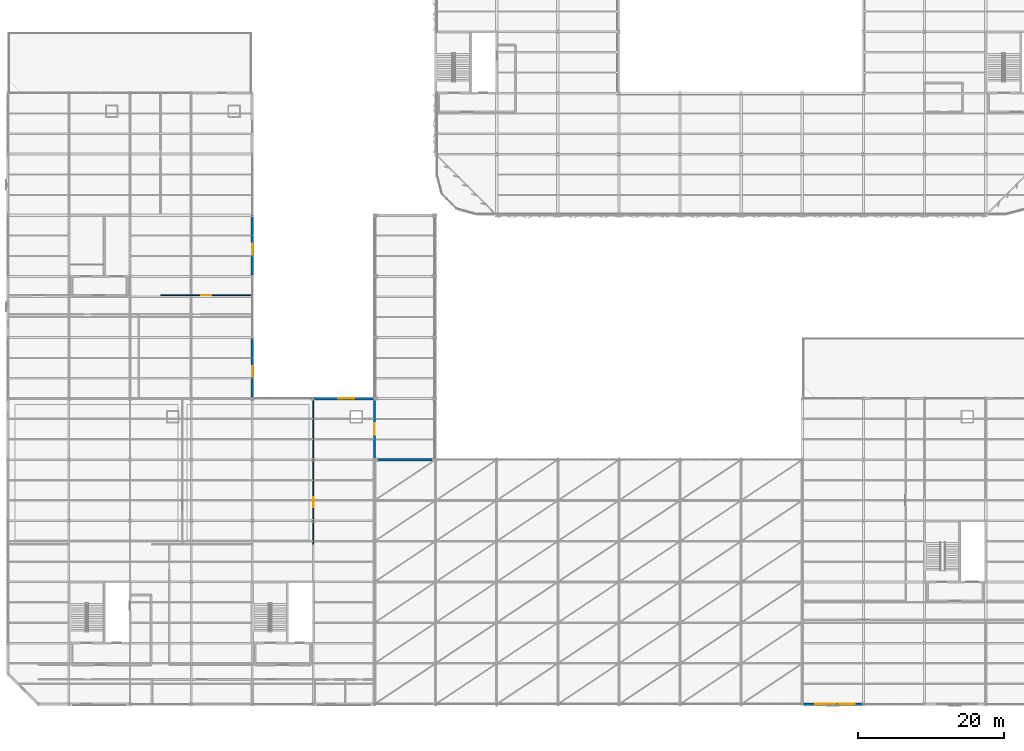
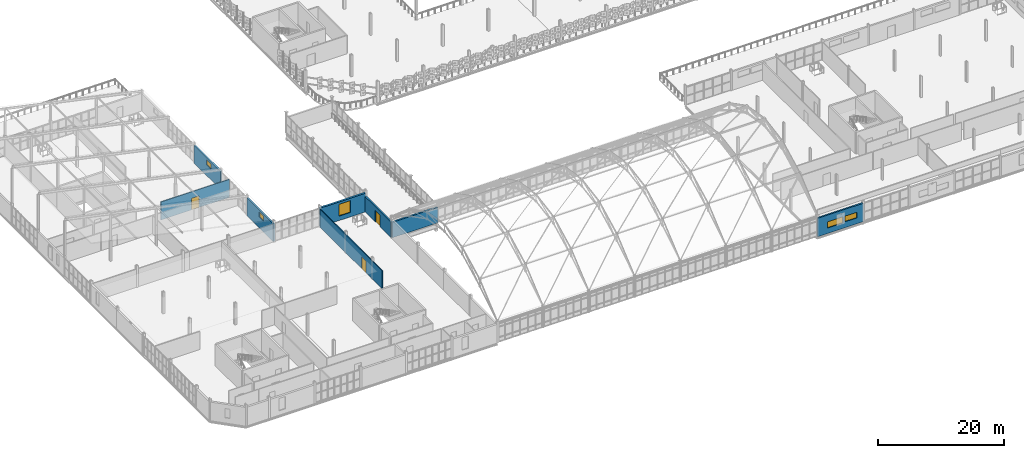
# One storey, part 155 of 184: 8 walls, 5 windows, 3 doors, 8 openings.
"""IFC4 building model written with IfcOpenShell, lengths in metres."""

import ifcopenshell
import ifcopenshell.guid

model = None  # the IFC model being written
_history = None  # IfcOwnerHistory: only IFC2X3 demands one
_inside = {}  # id of a spatial element -> (the spatial element, [elements in it])
_under = {}  # id of a project, library or spatial element -> (it, [spatial elements below it])
_declared = {}  # id of a project -> (the project, [libraries it declares])
_typed = {}  # id of a type object -> (the type object, [elements of that type])
_made_of = {}  # id of a material, layer set ... -> (it, [elements and type objects made of it])


def new_model(schema):
    """Start an empty IFC model of exactly this schema.

    Asked for "IFC4X3", IfcOpenShell would pick the latest addendum, in which some entities
    have other attributes; the version numbers below select the first issue.
    IFC2X3 requires an IfcOwnerHistory on every rooted entity: one is made here for all.
    """
    global model, _history
    if schema == "IFC4X3":
        model = ifcopenshell.file(schema_version=(4, 3, 0, 0))
    else:
        model = ifcopenshell.file(schema=schema)
    _inside.clear()
    _under.clear()
    _declared.clear()
    _typed.clear()
    _made_of.clear()
    _history = None
    if model.schema == "IFC2X3":
        org = make("IfcOrganization", Name="unknown")
        user = make(
            "IfcPersonAndOrganization",
            ThePerson=make("IfcPerson", FamilyName="unknown"),
            TheOrganization=org,
        )
        app = make(
            "IfcApplication",
            ApplicationDeveloper=org,
            Version="unknown",
            ApplicationFullName="unknown",
            ApplicationIdentifier="unknown",
        )
        _history = make(
            "IfcOwnerHistory",
            OwningUser=user,
            OwningApplication=app,
            ChangeAction="ADDED",
            CreationDate=0,
        )
    return model


def make(cls, **values):
    """One entity of the class cls with the attributes given. An attribute that is None is left unset."""
    return model.create_entity(
        cls, **{name: value for name, value in values.items() if value is not None}
    )


def rooted(cls, **values):
    """An entity with a GlobalId (a new one), such as an element, a storey or a relation."""
    return make(cls, GlobalId=ifcopenshell.guid.new(), OwnerHistory=_history, **values)


def si_unit(unit_type, name, prefix=None):
    """IfcSIUnit, for example si_unit("LENGTHUNIT", "METRE", prefix="MILLI")."""
    return make("IfcSIUnit", UnitType=unit_type, Prefix=prefix, Name=name)


def assignment(units):
    """IfcUnitAssignment: the units of a project."""
    return None if units is None else make("IfcUnitAssignment", Units=units)


def point(xyz):
    """IfcCartesianPoint."""
    return None if xyz is None else make("IfcCartesianPoint", Coordinates=xyz)


def direction(xyz):
    """IfcDirection."""
    return None if xyz is None else make("IfcDirection", DirectionRatios=xyz)


def frame(location, z_axis=None, x_axis=None):
    """IfcAxis2Placement3D, a coordinate frame: its origin and axes. An axis left out is left unset."""
    return make(
        "IfcAxis2Placement3D",
        Location=point(location),
        Axis=direction(z_axis),
        RefDirection=direction(x_axis),
    )


def frame_2d(location, x_axis=None):
    """IfcAxis2Placement2D, a coordinate frame in the plane: its origin and x axis."""
    return make(
        "IfcAxis2Placement2D", Location=point(location), RefDirection=direction(x_axis)
    )


def origin():
    """The frame at (0, 0, 0) with its axes left unset."""
    return frame((0.0, 0.0, 0.0))


def place(relative_to, where):
    """IfcLocalPlacement: puts the frame where relative to a parent placement (None: the world)."""
    return make(
        "IfcLocalPlacement", PlacementRelTo=relative_to, RelativePlacement=where
    )


def context(
    kind, dimensions, precision=None, world=None, true_north=None, identifier=None
):
    """IfcGeometricRepresentationContext, for example the 3D "Model" context."""
    return make(
        "IfcGeometricRepresentationContext",
        ContextIdentifier=identifier,
        ContextType=kind,
        CoordinateSpaceDimension=dimensions,
        Precision=precision,
        WorldCoordinateSystem=world,
        TrueNorth=true_north,
    )


def subcontext(parent, identifier, kind, view, scale=None):
    """IfcGeometricRepresentationSubContext, for example "Body" below "Model"."""
    return make(
        "IfcGeometricRepresentationSubContext",
        ContextIdentifier=identifier,
        ContextType=kind,
        ParentContext=parent,
        TargetScale=scale,
        TargetView=view,
    )


def project(units=None, contexts=None):
    """IfcProject with its units and contexts."""
    return rooted(
        "IfcProject",
        Name="project",
        RepresentationContexts=contexts,
        UnitsInContext=assignment(units),
    )


def spatial(cls, under=None, at=None, **own):
    """A site, building, storey or space (cls), placed at a placement, below another one or the project."""
    s = rooted(cls, ObjectPlacement=at, **own)
    if under is not None:
        _under.setdefault(under.id(), (under, []))[1].append(s)
    return s


def profile(cls, at=None, kind="AREA", **sizes):
    """A parametric profile (cls). Its sizes go by their IFC names, for example OverallWidth=200.0."""
    return make(cls, ProfileType=kind, Position=at, **sizes)


def rectangle(**sizes):
    """IfcRectangleProfileDef."""
    return profile("IfcRectangleProfileDef", **sizes)


def extrude(swept, where, along, depth):
    """IfcExtrudedAreaSolid: the profile swept, set in the frame where, extruded along a direction by depth."""
    return make(
        "IfcExtrudedAreaSolid",
        SweptArea=swept,
        Position=where,
        ExtrudedDirection=direction(along),
        Depth=depth,
    )


def shape(context_of_items, identifier, shape_type, items):
    """IfcShapeRepresentation: the items that make up one representation, for example the "Body"."""
    return make(
        "IfcShapeRepresentation",
        ContextOfItems=context_of_items,
        RepresentationIdentifier=identifier,
        RepresentationType=shape_type,
        Items=items,
    )


def material(Name=None, Category=None):
    """IfcMaterial."""
    return make("IfcMaterial", Name=Name, Category=Category)


def layer(
    of_material, thickness, ventilated=None, Name=None, Category=None, Priority=None
):
    """IfcMaterialLayer: one layer of a wall or slab, of a material (None: an air gap)."""
    return make(
        "IfcMaterialLayer",
        Material=of_material,
        LayerThickness=thickness,
        IsVentilated=ventilated,
        Name=Name,
        Category=Category,
        Priority=Priority,
    )


def layer_set(layers, Name=None):
    """IfcMaterialLayerSet."""
    return make("IfcMaterialLayerSet", MaterialLayers=layers, LayerSetName=Name)


def made_of(thing, what):
    """Note that an element or type object is made of a material, layer set ...; save() writes the relation."""
    if what is not None:
        _made_of.setdefault(what.id(), (what, []))[1].append(thing)
    return thing


def type_object(cls, material=None, **own):
    """A type object (cls), such as IfcWallType, which elements share."""
    return made_of(rooted(cls, **own), material)


def element(
    cls,
    number,
    at=None,
    inside=None,
    cuts=None,
    type_object=None,
    material=None,
    context=None,
    identifier="Body",
    shape_type=None,
    held_by="IfcProductDefinitionShape",
    body=None,
    shapes=None,
    **own,
):
    """One element of the class cls, such as IfcWall. Its Tag is "e" and its number.

    at: its placement. inside: the storey or other place that contains it. cuts: it is an
    opening in that element (IfcRelVoidsElement). A single representation is given by context,
    identifier, shape_type and body (its items); several are given by shapes. held_by: the class
    of the entity that holds the representations. save() writes the other relations.
    """
    e = rooted(cls, Tag="e%d" % number, ObjectPlacement=at, **own)
    if body is not None:
        shapes = [shape(context, identifier, shape_type, body)]
    if shapes is not None:
        e.Representation = make(held_by, Representations=shapes)
    if inside is not None:
        _inside.setdefault(inside.id(), (inside, []))[1].append(e)
    if cuts is not None:
        rooted(
            "IfcRelVoidsElement", RelatingBuildingElement=cuts, RelatedOpeningElement=e
        )
    if type_object is not None:
        _typed.setdefault(type_object.id(), (type_object, []))[1].append(e)
    return made_of(e, material)


def fill(opening, filler):
    """IfcRelFillsElement: the door or window that sits in an opening."""
    return rooted(
        "IfcRelFillsElement",
        RelatingOpeningElement=opening,
        RelatedBuildingElement=filler,
    )


def aggregate(whole, parts):
    """IfcRelAggregates: a whole, such as a stair, and the parts it consists of."""
    return rooted("IfcRelAggregates", RelatingObject=whole, RelatedObjects=parts)


def save(model, path):
    """Write the relations noted so far, then the file.

    IfcRelAggregates (storeys below a building ...), IfcRelContainedInSpatialStructure (elements
    in a storey), IfcRelDefinesByType, IfcRelAssociatesMaterial and IfcRelDeclares: one each for
    every whole, place, type object, material and project.
    """
    for whole, parts in _under.values():
        aggregate(whole, parts)
    for where, things in _inside.values():
        rooted(
            "IfcRelContainedInSpatialStructure",
            RelatedElements=things,
            RelatingStructure=where,
        )
    for kind, things in _typed.values():
        rooted("IfcRelDefinesByType", RelatedObjects=things, RelatingType=kind)
    for what, things in _made_of.values():
        rooted("IfcRelAssociatesMaterial", RelatedObjects=things, RelatingMaterial=what)
    for by, libraries in _declared.values():
        rooted("IfcRelDeclares", RelatingContext=by, RelatedDefinitions=libraries)
    model.write(path)


model = new_model("IFC4")

# Units and contexts
model_context = context("Model", 3, precision=1e-05, world=origin(), true_north=direction((0.0, 1.0)))
body_context = subcontext(model_context, "Body", "Model", "MODEL_VIEW")
ifc_project = project(units=[si_unit("LENGTHUNIT", "METRE"), si_unit("AREAUNIT", "SQUARE_METRE"), si_unit("VOLUMEUNIT", "CUBIC_METRE"), si_unit("PLANEANGLEUNIT", "RADIAN"), si_unit("MASSUNIT", "GRAM", prefix="KILO")], contexts=[model_context])

# Site, building, storey
site_placement = place(None, origin())
site = spatial("IfcSite", under=ifc_project, at=site_placement, CompositionType="ELEMENT")
building_placement = place(site_placement, origin())
building = spatial("IfcBuilding", under=site, at=building_placement, Name="Qalvenar Corner Mobility Hub", CompositionType="ELEMENT")
storey_placement = place(building_placement, frame((0.0, 0.0, 9.0)))
storey = spatial("IfcBuildingStorey", under=building, at=storey_placement, Name="L02", CompositionType="ELEMENT", Elevation=9.0)

# Wall, opening, window
ifc_material_1 = material(Name="Lahori Fired Clay Brick Masonry", Category="masonry")
ifc_layer_1 = layer(ifc_material_1, 0.300048828125)
ifc_layer_set_1 = layer_set([ifc_layer_1], Name="Lahori Fired Clay Brick Masonry")
wall_type_1 = type_object("IfcWallType", Name="WL-EXT-BRK300", PredefinedType="STANDARD", material=ifc_layer_set_1)
wall_1_placement = place(storey_placement, frame((33.60009765625, 42.0, 0.0), z_axis=(0.0, 0.0, 1.0), x_axis=(0.0, 1.0, 0.0)))
wall_1 = element("IfcWall", 1, at=wall_1_placement, inside=storey, type_object=wall_type_1, Name="Exterior Facade Wall EW-V5-L02-E0", PredefinedType="STANDARD", context=body_context, shape_type="SweptSolid", body=[
    extrude(rectangle(XDim=8.39990234375, YDim=0.300048828125, at=frame_2d((4.199951171875, 0.0))), origin(), (0.0, 0.0, 1.0), 3.4599609375),
])
opening_1_placement = place(wall_1_placement, frame((3.0, 0.0, 2.10009765625)))
opening_1 = element("IfcOpeningElement", 2, at=opening_1_placement, cuts=wall_1, Name="Opening W-42", PredefinedType="OPENING", context=body_context, shape_type="SweptSolid", body=[
    extrude(rectangle(XDim=1.449951171875, YDim=0.949951171875, at=frame_2d((0.72509765625, 0.47509765625))), frame((0.0, 0.16015625, 0.0), z_axis=(0.0, -1.0, 0.0), x_axis=(1.0, 0.0, 0.0)), (0.0, 0.0, 1.0), 0.320068359375),
])
ifc_material_2 = material(Name="Solar-Control Double-Glazed Bronze Window", Category="glass")
window_type_1 = type_object("IfcWindowType", Name="WN-CLR-145X095", PartitioningType="SINGLE_PANEL", PredefinedType="WINDOW", material=ifc_material_2)
window_1_placement = place(opening_1_placement, origin())
window_1 = element("IfcWindow", 3, at=window_1_placement, inside=storey, type_object=window_type_1, Name="Facade Window EW-V5-L02-E0-W1", OverallHeight=0.949951171875, OverallWidth=1.449951171875, PartitioningType="SINGLE_PANEL", PredefinedType="WINDOW", context=body_context, shape_type="SweptSolid", body=[
    extrude(rectangle(XDim=1.449951171875, YDim=0.949951171875, at=frame_2d((0.72509765625, 0.47509765625))), frame((0.0, 0.030029296875, 0.0), z_axis=(0.0, -1.0, 0.0), x_axis=(1.0, 0.0, 0.0)), (0.0, 0.0, 1.0), 0.06005859375),
])
fill(opening_1, window_1)

wall_2_placement = place(storey_placement, frame((33.60009765625, 58.800048828125, 0.0), z_axis=(0.0, 0.0, 1.0), x_axis=(0.0, 1.0, 0.0)))
wall_2 = element("IfcWall", 4, at=wall_2_placement, inside=storey, type_object=wall_type_1, Name="Exterior Facade Wall EW-V5-L02-E2", PredefinedType="STANDARD", context=body_context, shape_type="SweptSolid", body=[
    extrude(rectangle(XDim=8.39990234375, YDim=0.300048828125, at=frame_2d((4.199951171875, 0.0))), origin(), (0.0, 0.0, 1.0), 3.4599609375),
])
opening_2_placement = place(wall_2_placement, frame((3.0, 0.0, 2.10009765625)))
opening_2 = element("IfcOpeningElement", 5, at=opening_2_placement, cuts=wall_2, Name="Opening W-42", PredefinedType="OPENING", context=body_context, shape_type="SweptSolid", body=[
    extrude(rectangle(XDim=1.449951171875, YDim=0.949951171875, at=frame_2d((0.72509765625, 0.47509765625))), frame((0.0, 0.16015625, 0.0), z_axis=(0.0, -1.0, 0.0), x_axis=(1.0, 0.0, 0.0)), (0.0, 0.0, 1.0), 0.320068359375),
])
window_2_placement = place(opening_2_placement, origin())
window_2 = element("IfcWindow", 6, at=window_2_placement, inside=storey, type_object=window_type_1, Name="Facade Window EW-V5-L02-E2-W1", OverallHeight=0.949951171875, OverallWidth=1.449951171875, PartitioningType="SINGLE_PANEL", PredefinedType="WINDOW", context=body_context, shape_type="SweptSolid", body=[
    extrude(rectangle(XDim=1.449951171875, YDim=0.949951171875, at=frame_2d((0.72509765625, 0.47509765625))), frame((0.0, 0.030029296875, 0.0), z_axis=(0.0, -1.0, 0.0), x_axis=(1.0, 0.0, 0.0)), (0.0, 0.0, 1.0), 0.06005859375),
])
fill(opening_2, window_2)

# Wall, openings, windows
wall_3_placement = place(storey_placement, frame((109.199951171875, 0.0, 0.0), z_axis=(0.0, 0.0, 1.0), x_axis=(1.0, 0.0, 0.0)))
wall_3 = element("IfcWall", 7, at=wall_3_placement, inside=storey, type_object=wall_type_1, Name="Exterior Facade Wall EW-V6-L02-S0", PredefinedType="STANDARD", context=body_context, shape_type="SweptSolid", body=[
    extrude(rectangle(XDim=8.400146484375, YDim=0.300048828125, at=frame_2d((4.2001953125, 0.0))), origin(), (0.0, 0.0, 1.0), 3.580078125),
])
opening_3_placement = place(wall_3_placement, frame((1.800048828125, 0.0, 1.050048828125)))
opening_3 = element("IfcOpeningElement", 8, at=opening_3_placement, cuts=wall_3, Name="Opening W-20", PredefinedType="OPENING", context=body_context, shape_type="SweptSolid", body=[
    extrude(rectangle(XDim=2.800048828125, YDim=1.199951171875, at=frame_2d((1.39990234375, 0.60009765625))), frame((0.0, 0.16015625, 0.0), z_axis=(0.0, -1.0, 0.0), x_axis=(1.0, 0.0, 0.0)), (0.0, 0.0, 1.0), 0.320068359375),
])
opening_4_placement = place(wall_3_placement, frame((5.0, 0.0, 1.14990234375)))
opening_4 = element("IfcOpeningElement", 9, at=opening_4_placement, cuts=wall_3, Name="Opening W-21", PredefinedType="OPENING", context=body_context, shape_type="SweptSolid", body=[
    extrude(rectangle(XDim=2.199951171875, YDim=1.10009765625, at=frame_2d((1.10009765625, 0.550048828125))), frame((0.0, 0.16015625, 0.0), z_axis=(0.0, -1.0, 0.0), x_axis=(1.0, 0.0, 0.0)), (0.0, 0.0, 1.0), 0.320068359375),
])
window_type_2 = type_object("IfcWindowType", Name="WN-CLR-220X110", PartitioningType="DOUBLE_PANEL_HORIZONTAL", PredefinedType="WINDOW", material=ifc_material_2)
window_3_placement = place(opening_4_placement, origin())
window_3 = element("IfcWindow", 10, at=window_3_placement, inside=storey, type_object=window_type_2, Name="Facade Window EW-V6-L02-S0-W2", OverallHeight=1.10009765625, OverallWidth=2.199951171875, PartitioningType="SINGLE_PANEL", PredefinedType="WINDOW", context=body_context, shape_type="SweptSolid", body=[
    extrude(rectangle(XDim=2.199951171875, YDim=1.10009765625, at=frame_2d((1.10009765625, 0.550048828125))), frame((0.0, 0.030029296875, 0.0), z_axis=(0.0, -1.0, 0.0), x_axis=(1.0, 0.0, 0.0)), (0.0, 0.0, 1.0), 0.06005859375),
])
fill(opening_4, window_3)
window_type_3 = type_object("IfcWindowType", Name="WN-CLR-280X120", PartitioningType="TRIPLE_PANEL_VERTICAL", PredefinedType="WINDOW", material=ifc_material_2)
window_4_placement = place(opening_3_placement, origin())
window_4 = element("IfcWindow", 11, at=window_4_placement, inside=storey, type_object=window_type_3, Name="Facade Window EW-V6-L02-S0-W1", OverallHeight=1.199951171875, OverallWidth=2.800048828125, PartitioningType="SINGLE_PANEL", PredefinedType="WINDOW", context=body_context, shape_type="SweptSolid", body=[
    extrude(rectangle(XDim=2.800048828125, YDim=1.199951171875, at=frame_2d((1.39990234375, 0.60009765625))), frame((0.0, 0.030029296875, 0.0), z_axis=(0.0, -1.0, 0.0), x_axis=(1.0, 0.0, 0.0)), (0.0, 0.0, 1.0), 0.06005859375),
])
fill(opening_3, window_4)

# Wall, opening, door
ifc_material_3 = material(Name="Red Sandstone Ashlar Masonry", Category="masonry")
ifc_layer_2 = layer(ifc_material_3, 0.320068359375)
ifc_layer_set_2 = layer_set([ifc_layer_2], Name="Red Sandstone Ashlar Masonry")
wall_type_2 = type_object("IfcWallType", Name="WL-EXT-SAND320", PredefinedType="STANDARD", material=ifc_layer_set_2)
wall_4_placement = place(storey_placement, frame((50.39990234375, 42.0, 0.0), z_axis=(0.0, 0.0, 1.0), x_axis=(0.0, -1.0, 0.0)))
wall_4 = element("IfcWall", 12, at=wall_4_placement, inside=storey, type_object=wall_type_2, Name="Exterior Facade Wall EW-BRG-L02-W0", PredefinedType="STANDARD", context=body_context, shape_type="SweptSolid", body=[
    extrude(rectangle(XDim=8.39990234375, YDim=0.320068359375, at=frame_2d((4.199951171875, 0.0))), origin(), (0.0, 0.0, 1.0), 3.0),
])
opening_5_placement = place(wall_4_placement, frame((3.39990234375, 0.0, 0.0)))
opening_5 = element("IfcOpeningElement", 13, at=opening_5_placement, cuts=wall_4, Name="Opening DR-158", PredefinedType="OPENING", context=body_context, shape_type="SweptSolid", body=[
    extrude(rectangle(XDim=1.60009765625, YDim=2.25, at=frame_2d((0.800048828125, 1.125))), frame((0.0, 0.169921875, 0.0), z_axis=(0.0, -1.0, 0.0), x_axis=(1.0, 0.0, 0.0)), (0.0, 0.0, 1.0), 0.340087890625),
])
ifc_material_4 = material(Name="Compartment Fire Door FD90", Category="steel")
door_type_1 = type_object("IfcDoorType", Name="DR-COMP-160", OperationType="DOUBLE_DOOR_SINGLE_SWING", PredefinedType="DOOR", material=ifc_material_4)
door_1_placement = place(opening_5_placement, origin())
door_1 = element("IfcDoor", 14, at=door_1_placement, inside=storey, type_object=door_type_1, Name="DR-158 Courtyard Bridge West Portal Door L02", OperationType="DOUBLE_DOOR_SINGLE_SWING", OverallHeight=2.25, OverallWidth=1.60009765625, PredefinedType="DOOR", context=body_context, shape_type="SweptSolid", body=[
    extrude(rectangle(XDim=1.60009765625, YDim=2.25, at=frame_2d((0.800048828125, 1.125))), frame((0.0, 0.02490234375, 0.0), z_axis=(0.0, -1.0, 0.0), x_axis=(1.0, 0.0, 0.0)), (0.0, 0.0, 1.0), 0.050048828125),
])
fill(opening_5, door_1)

# Wall
wall_5_placement = place(storey_placement, frame((50.39990234375, 33.60009765625, 0.0), z_axis=(0.0, 0.0, 1.0), x_axis=(1.0, 0.0, 0.0)))
element("IfcWall", 15, at=wall_5_placement, inside=storey, type_object=wall_type_2, Name="Exterior Facade Wall EW-BRG-L02-S", PredefinedType="STANDARD", context=body_context, shape_type="SweptSolid", body=[
    extrude(rectangle(XDim=8.400146484375, YDim=0.320068359375, at=frame_2d((4.2001953125, 0.0))), origin(), (0.0, 0.0, 1.0), 3.0),
])

# Wall, opening, window
ifc_material_5 = material(Name="Red Sandstone Ashlar Masonry", Category="masonry")
ifc_layer_3 = layer(ifc_material_5, 0.360107421875)
ifc_layer_set_3 = layer_set([ifc_layer_3], Name="Red Sandstone Ashlar Masonry")
wall_type_3 = type_object("IfcWallType", Name="WL-EXT-SAND360", PredefinedType="STANDARD", material=ifc_layer_set_3)
wall_6_placement = place(storey_placement, frame((50.39990234375, 42.0, 0.0), z_axis=(0.0, 0.0, 1.0), x_axis=(-1.0, 0.0, 0.0)))
wall_6 = element("IfcWall", 16, at=wall_6_placement, inside=storey, type_object=wall_type_3, Name="Exterior Facade Wall EW-V3-L02-023", PredefinedType="STANDARD", context=body_context, shape_type="SweptSolid", body=[
    extrude(rectangle(XDim=8.39990234375, YDim=0.360107421875, at=frame_2d((4.199951171875, 0.0))), origin(), (0.0, 0.0, 1.0), 3.6201171875),
])
opening_6_placement = place(wall_6_placement, frame((2.800048828125, 0.0, 0.85009765625)))
opening_6 = element("IfcOpeningElement", 17, at=opening_6_placement, cuts=wall_6, Name="Opening W-30", PredefinedType="OPENING", context=body_context, shape_type="SweptSolid", body=[
    extrude(rectangle(XDim=2.14990234375, YDim=2.300048828125, at=frame_2d((1.074951171875, 1.14990234375))), frame((0.0, 0.18994140625, 0.0), z_axis=(0.0, -1.0, 0.0), x_axis=(1.0, 0.0, 0.0)), (0.0, 0.0, 1.0), 0.380126953125),
])
window_type_4 = type_object("IfcWindowType", Name="WN-CIV-215X230", PartitioningType="TRIPLE_PANEL_VERTICAL", PredefinedType="WINDOW", material=ifc_material_2)
window_5_placement = place(opening_6_placement, origin())
window_5 = element("IfcWindow", 18, at=window_5_placement, inside=storey, type_object=window_type_4, Name="Facade Window EW-V3-L02-023-W1", OverallHeight=2.300048828125, OverallWidth=2.14990234375, PartitioningType="SINGLE_PANEL", PredefinedType="WINDOW", context=body_context, shape_type="SweptSolid", body=[
    extrude(rectangle(XDim=2.14990234375, YDim=2.300048828125, at=frame_2d((1.074951171875, 1.14990234375))), frame((0.0, 0.030029296875, 0.0), z_axis=(0.0, -1.0, 0.0), x_axis=(1.0, 0.0, 0.0)), (0.0, 0.0, 1.0), 0.06005859375),
])
fill(opening_6, window_5)

# Wall, opening, door
ifc_material_6 = material(Name="Acoustic Gypsum Stud Partition", Category="masonry")
ifc_layer_4 = layer(ifc_material_6, 0.139892578125)
ifc_layer_set_4 = layer_set([ifc_layer_4], Name="Acoustic Gypsum Stud Partition")
wall_type_4 = type_object("IfcWallType", Name="WL-INT140", PredefinedType="PARTITIONING", material=ifc_layer_set_4)
wall_7_placement = place(storey_placement, frame((21.0, 56.199951171875, 0.0), z_axis=(0.0, 0.0, 1.0), x_axis=(1.0, 0.0, 0.0)))
wall_7 = element("IfcWall", 19, at=wall_7_placement, inside=storey, type_object=wall_type_4, Name="Interior Partition PRT-L02-028", PredefinedType="PARTITIONING", context=body_context, shape_type="SweptSolid", body=[
    extrude(rectangle(XDim=12.554931640625, YDim=0.139892578125, at=frame_2d((6.27734375, 0.0))), origin(), (0.0, 0.0, 1.0), 3.5),
])
opening_7_placement = place(wall_7_placement, frame((5.576904296875, 0.0, 0.0)))
opening_7 = element("IfcOpeningElement", 20, at=opening_7_placement, cuts=wall_7, Name="Opening DR-191", PredefinedType="OPENING", context=body_context, shape_type="SweptSolid", body=[
    extrude(rectangle(XDim=1.39990234375, YDim=2.25, at=frame_2d((0.699951171875, 1.125))), frame((0.0, 0.080078125, 0.0), z_axis=(0.0, -1.0, 0.0), x_axis=(1.0, 0.0, 0.0)), (0.0, 0.0, 1.0), 0.159912109375),
])
ifc_material_7 = material(Name="Hardwood Teak Acoustic Double Door", Category="wood")
door_type_2 = type_object("IfcDoorType", Name="DR-INT-PUB140", OperationType="DOUBLE_DOOR_SINGLE_SWING", PredefinedType="DOOR", material=ifc_material_7)
door_2_placement = place(opening_7_placement, origin())
door_2 = element("IfcDoor", 21, at=door_2_placement, inside=storey, type_object=door_type_2, Name="DR-191 Cyclist Terrace Refreshment Lounge Door", OperationType="DOUBLE_DOOR_SINGLE_SWING", OverallHeight=2.25, OverallWidth=1.39990234375, PredefinedType="DOOR", context=body_context, shape_type="SweptSolid", body=[
    extrude(rectangle(XDim=1.39990234375, YDim=2.25, at=frame_2d((0.699951171875, 1.125))), frame((0.0, 0.02490234375, 0.0), z_axis=(0.0, -1.0, 0.0), x_axis=(1.0, 0.0, 0.0)), (0.0, 0.0, 1.0), 0.050048828125),
])
fill(opening_7, door_2)

ifc_material_8 = material(Name="Plastered Clay Brick Partition", Category="masonry")
ifc_layer_5 = layer(ifc_material_8, 0.159912109375)
ifc_layer_set_5 = layer_set([ifc_layer_5], Name="Plastered Clay Brick Partition")
wall_type_5 = type_object("IfcWallType", Name="WL-INT160", PredefinedType="PARTITIONING", material=ifc_layer_set_5)
wall_8_placement = place(storey_placement, frame((42.0, 22.0, 0.0), z_axis=(0.0, 0.0, 1.0), x_axis=(0.0, 1.0, 0.0)))
wall_8 = element("IfcWall", 22, at=wall_8_placement, inside=storey, type_object=wall_type_5, Name="Interior Partition PRT-L02-038", PredefinedType="PARTITIONING", context=body_context, shape_type="SweptSolid", body=[
    extrude(rectangle(XDim=19.81494140625, YDim=0.159912109375, at=frame_2d((9.907470703125, 0.0))), origin(), (0.0, 0.0, 1.0), 3.489990234375),
])
opening_8_placement = place(wall_8_placement, frame((5.070068359375, 0.0, 0.0)))
opening_8 = element("IfcOpeningElement", 23, at=opening_8_placement, cuts=wall_8, Name="Opening DR-196", PredefinedType="OPENING", context=body_context, shape_type="SweptSolid", body=[
    extrude(rectangle(XDim=1.39990234375, YDim=2.25, at=frame_2d((0.699951171875, 1.125))), frame((0.0, 0.08984375, 0.0), z_axis=(0.0, -1.0, 0.0), x_axis=(1.0, 0.0, 0.0)), (0.0, 0.0, 1.0), 0.179931640625),
])
door_3_placement = place(opening_8_placement, origin())
door_3 = element("IfcDoor", 24, at=door_3_placement, inside=storey, type_object=door_type_2, Name="DR-196 Public Transport Stakeholder Forum Hall Door", OperationType="DOUBLE_DOOR_SINGLE_SWING", OverallHeight=2.25, OverallWidth=1.39990234375, PredefinedType="DOOR", context=body_context, shape_type="SweptSolid", body=[
    extrude(rectangle(XDim=1.39990234375, YDim=2.25, at=frame_2d((0.699951171875, 1.125))), frame((0.0, 0.02490234375, 0.0), z_axis=(0.0, -1.0, 0.0), x_axis=(1.0, 0.0, 0.0)), (0.0, 0.0, 1.0), 0.050048828125),
])
fill(opening_8, door_3)

save(model, "model.ifc")
